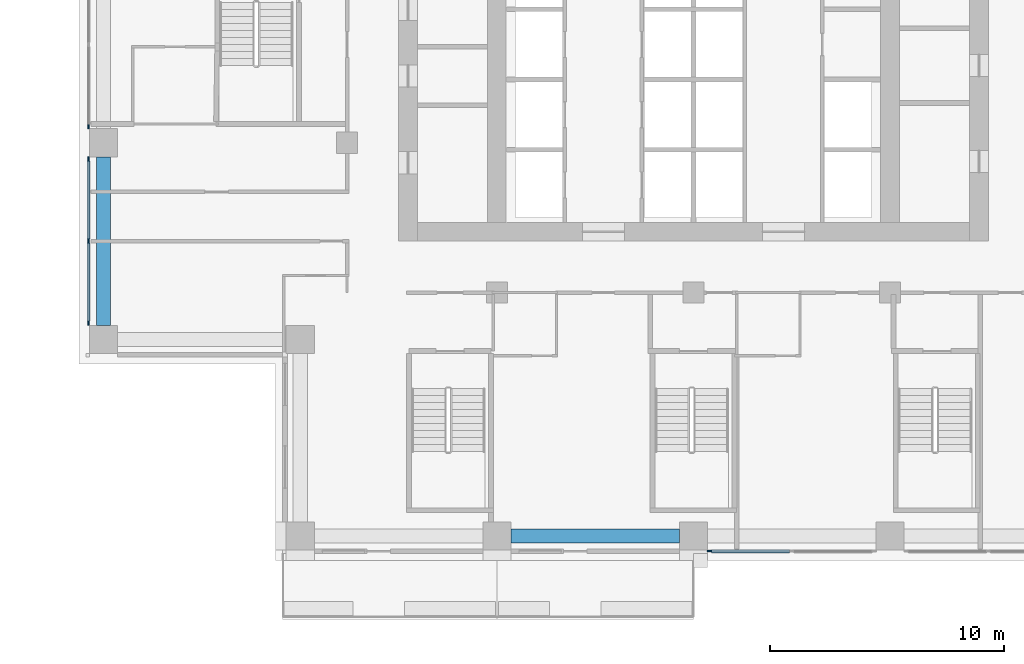
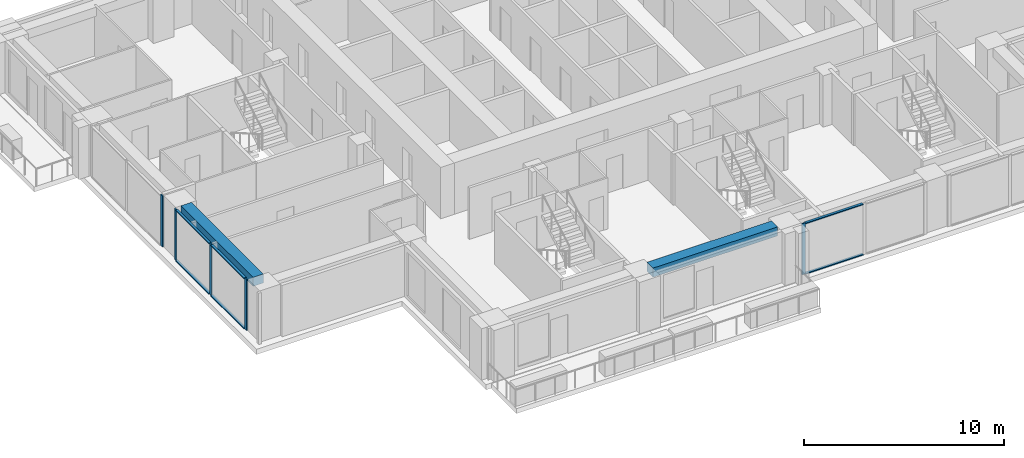
# One storey, part 2 of 16: 11 members, 2 beams, 3 elements without a shape of their own.
"""IFC4 building model written with IfcOpenShell, lengths in metres."""

from ifc_helpers import new_model, si_unit, direction, frame, origin, origin_2d, place, context, subcontext, project, spatial, rectangle, extrude, material, material_profile, profile_set, type_object, element, aggregate, save


model = new_model("IFC4")

# Units and contexts
model_context = context("Model", 3, precision=1e-05, world=origin(), true_north=direction((0.0, 1.0)))
body_context = subcontext(model_context, "Body", "Model", "MODEL_VIEW")
ifc_project = project(units=[si_unit("LENGTHUNIT", "METRE"), si_unit("AREAUNIT", "SQUARE_METRE"), si_unit("VOLUMEUNIT", "CUBIC_METRE"), si_unit("PLANEANGLEUNIT", "RADIAN"), si_unit("MASSUNIT", "GRAM", prefix="KILO")], contexts=[model_context])

# Site, building, storey
site_placement = place(None, origin())
site = spatial("IfcSite", under=ifc_project, at=site_placement, CompositionType="ELEMENT")
building_placement = place(site_placement, origin())
building = spatial("IfcBuilding", under=site, at=building_placement, Name="Vermilion Ogive Tower", CompositionType="ELEMENT")
storey_placement = place(building_placement, frame((0.0, 0.0, 114.89990234375)))
storey = spatial("IfcBuildingStorey", under=building, at=storey_placement, Name="L29", CompositionType="ELEMENT", Elevation=114.89990234375)

# Curtain wall, member
ifc_material_1 = material(Name="Low-iron laminated glazing in aluminium frame", Category="aluminium")
curtain_wall_type = type_object("IfcCurtainWallType", Name="Curtain wall CW7", PredefinedType="NOTDEFINED", material=ifc_material_1)
curtain_wall_1_placement = place(storey_placement, origin())
curtain_wall_1 = element("IfcCurtainWall", 1, at=curtain_wall_1_placement, inside=storey, type_object=curtain_wall_type, Name="Glazed skin S3", PredefinedType="NOTDEFINED")
ifc_material_2 = material(Name="Aluminium mullion", Category="aluminium")
ifc_material_profile_1 = material_profile(ifc_material_2, rectangle(XDim=0.06005859375, YDim=0.179931640625, at=origin_2d()), Name="AL 60x180")
ifc_profile_set_1 = profile_set([ifc_material_profile_1], Name="Aluminium mullion")
member_type_1 = type_object("IfcMemberType", Name="CW7 mullion 60x180", PredefinedType="MULLION", material=ifc_profile_set_1)
member_1_placement = place(storey_placement, frame((0.68994140625, -21.64990234375, 0.0), z_axis=(0.0, 0.0, 1.0), x_axis=(0.0, 1.0, 0.0)))
member_1 = element("IfcMember", 2, at=member_1_placement, type_object=member_type_1, Name="CW7-S3 mullion 1", PredefinedType="MULLION", context=body_context, shape_type="SweptSolid", body=[
    extrude(rectangle(XDim=0.06005859375, YDim=0.179931640625, at=origin_2d()), origin(), (0.0, 0.0, 1.0), 3.130126953125),
])

curtain_wall_2_placement = place(storey_placement, origin())
curtain_wall_2 = element("IfcCurtainWall", 3, at=curtain_wall_2_placement, inside=storey, type_object=curtain_wall_type, Name="Glazed skin W2", PredefinedType="NOTDEFINED")
member_2_placement = place(storey_placement, frame((-25.85009765625, -3.510009765625, 0.0), z_axis=(0.0, 0.0, 1.0), x_axis=(1.0, 0.0, 0.0)))
member_2 = element("IfcMember", 4, at=member_2_placement, type_object=member_type_1, Name="CW7-W2 mullion 3", PredefinedType="MULLION", context=body_context, shape_type="SweptSolid", body=[
    extrude(rectangle(XDim=0.06005859375, YDim=0.179931640625, at=origin_2d()), origin(), (0.0, 0.0, 1.0), 3.130126953125),
])
aggregate(curtain_wall_2, [member_2])

# Curtain wall, members
curtain_wall_3_placement = place(storey_placement, origin())
curtain_wall_3 = element("IfcCurtainWall", 5, at=curtain_wall_3_placement, inside=storey, type_object=curtain_wall_type, Name="Glazed skin W3", PredefinedType="NOTDEFINED")
member_3_placement = place(storey_placement, frame((-25.85009765625, -4.889892578125, 0.0), z_axis=(0.0, 0.0, 1.0), x_axis=(1.0, 0.0, 0.0)))
member_3 = element("IfcMember", 6, at=member_3_placement, type_object=member_type_1, Name="CW7-W3 mullion 1", PredefinedType="MULLION", context=body_context, shape_type="SweptSolid", body=[
    extrude(rectangle(XDim=0.06005859375, YDim=0.179931640625, at=origin_2d()), origin(), (0.0, 0.0, 1.0), 3.130126953125),
])
member_4_placement = place(storey_placement, frame((-25.85009765625, -8.39990234375, 0.0), z_axis=(0.0, 0.0, 1.0), x_axis=(1.0, 0.0, 0.0)))
member_4 = element("IfcMember", 7, at=member_4_placement, type_object=member_type_1, Name="CW7-W3 mullion 2", PredefinedType="MULLION", context=body_context, shape_type="SweptSolid", body=[
    extrude(rectangle(XDim=0.06005859375, YDim=0.179931640625, at=origin_2d()), origin(), (0.0, 0.0, 1.0), 3.130126953125),
])
member_5_placement = place(storey_placement, frame((-25.85009765625, -11.909912109375, 0.0), z_axis=(0.0, 0.0, 1.0), x_axis=(1.0, 0.0, 0.0)))
member_5 = element("IfcMember", 8, at=member_5_placement, type_object=member_type_1, Name="CW7-W3 mullion 3", PredefinedType="MULLION", context=body_context, shape_type="SweptSolid", body=[
    extrude(rectangle(XDim=0.06005859375, YDim=0.179931640625, at=origin_2d()), origin(), (0.0, 0.0, 1.0), 3.130126953125),
])

# Member
ifc_material_3 = material(Name="Aluminium transom", Category="aluminium")
ifc_material_profile_2 = material_profile(ifc_material_3, rectangle(XDim=0.139892578125, YDim=0.06005859375, at=origin_2d()), Name="AL 60x140")
ifc_profile_set_2 = profile_set([ifc_material_profile_2], Name="Aluminium transom")
member_type_2 = type_object("IfcMemberType", Name="CW7 transom 60x140", PredefinedType="USERDEFINED", material=ifc_profile_set_2)
member_6_placement = place(storey_placement, frame((0.780029296875, -21.64990234375, 0.030029296875), z_axis=(1.0, 0.0, 0.0), x_axis=(0.0, 1.0, 0.0)))
member_6 = element("IfcMember", 9, at=member_6_placement, type_object=member_type_2, Name="CW7-S3 transom 1.1", ObjectType="TRANSOM", PredefinedType="USERDEFINED", context=body_context, shape_type="SweptSolid", body=[
    extrude(rectangle(XDim=0.139892578125, YDim=0.06005859375, at=origin_2d()), origin(), (0.0, 0.0, 1.0), 3.330078125),
])

member_7_placement = place(storey_placement, frame((0.780029296875, -21.64990234375, 3.10009765625), z_axis=(1.0, 0.0, 0.0), x_axis=(0.0, 1.0, 0.0)))
member_7 = element("IfcMember", 10, at=member_7_placement, type_object=member_type_2, Name="CW7-S3 transom 1.2", ObjectType="TRANSOM", PredefinedType="USERDEFINED", context=body_context, shape_type="SweptSolid", body=[
    extrude(rectangle(XDim=0.139892578125, YDim=0.06005859375, at=origin_2d()), origin(), (0.0, 0.0, 1.0), 3.330078125),
])

aggregate(curtain_wall_1, [member_1, member_6, member_7])

member_8_placement = place(storey_placement, frame((-25.85009765625, -4.97998046875, 0.030029296875), z_axis=(0.0, -1.0, 0.0), x_axis=(1.0, 0.0, 0.0)))
member_8 = element("IfcMember", 11, at=member_8_placement, type_object=member_type_2, Name="CW7-W3 transom 1.1", ObjectType="TRANSOM", PredefinedType="USERDEFINED", context=body_context, shape_type="SweptSolid", body=[
    extrude(rectangle(XDim=0.139892578125, YDim=0.06005859375, at=origin_2d()), origin(), (0.0, 0.0, 1.0), 3.330078125),
])

member_9_placement = place(storey_placement, frame((-25.85009765625, -4.97998046875, 3.10009765625), z_axis=(0.0, -1.0, 0.0), x_axis=(1.0, 0.0, 0.0)))
member_9 = element("IfcMember", 12, at=member_9_placement, type_object=member_type_2, Name="CW7-W3 transom 1.2", ObjectType="TRANSOM", PredefinedType="USERDEFINED", context=body_context, shape_type="SweptSolid", body=[
    extrude(rectangle(XDim=0.139892578125, YDim=0.06005859375, at=origin_2d()), origin(), (0.0, 0.0, 1.0), 3.330078125),
])

member_10_placement = place(storey_placement, frame((-25.85009765625, -8.489990234375, 0.030029296875), z_axis=(0.0, -1.0, 0.0), x_axis=(1.0, 0.0, 0.0)))
member_10 = element("IfcMember", 13, at=member_10_placement, type_object=member_type_2, Name="CW7-W3 transom 2.1", ObjectType="TRANSOM", PredefinedType="USERDEFINED", context=body_context, shape_type="SweptSolid", body=[
    extrude(rectangle(XDim=0.139892578125, YDim=0.06005859375, at=origin_2d()), origin(), (0.0, 0.0, 1.0), 3.330078125),
])

member_11_placement = place(storey_placement, frame((-25.85009765625, -8.489990234375, 3.10009765625), z_axis=(0.0, -1.0, 0.0), x_axis=(1.0, 0.0, 0.0)))
member_11 = element("IfcMember", 14, at=member_11_placement, type_object=member_type_2, Name="CW7-W3 transom 2.2", ObjectType="TRANSOM", PredefinedType="USERDEFINED", context=body_context, shape_type="SweptSolid", body=[
    extrude(rectangle(XDim=0.139892578125, YDim=0.06005859375, at=origin_2d()), origin(), (0.0, 0.0, 1.0), 3.330078125),
])

aggregate(curtain_wall_3, [member_3, member_4, member_5, member_8, member_9, member_10, member_11])

# Beams
ifc_material_4 = material(Name="Concrete B45", Category="concrete")
ifc_material_profile_3 = material_profile(ifc_material_4, rectangle(XDim=0.60009765625, YDim=0.550048828125, at=origin_2d()), Name="600 x 550")
ifc_profile_set_3 = profile_set([ifc_material_profile_3], Name="Concrete B45")
beam_type = type_object("IfcBeamType", Name="Edge beam 600 x 550 B45", PredefinedType="BEAM", material=ifc_profile_set_3)
for number, where, z_axis, x_axis, name in (
    (15, (-7.800048828125, -21.0, 2.85498046875), (1.0, 0.0, 0.0), (0.0, 1.0, 0.0), "L29-EB-2"),
    (16, (-25.199951171875, -4.800048828125, 2.85498046875), (0.0, -1.0, 0.0), (1.0, 0.0, 0.0), "L29-EB-16"),
):
    element("IfcBeam", number, at=place(storey_placement, frame(where, z_axis=z_axis, x_axis=x_axis)), inside=storey, type_object=beam_type, Name=name, PredefinedType="BEAM", context=body_context, shape_type="SweptSolid", body=[
        extrude(rectangle(XDim=0.60009765625, YDim=0.550048828125, at=origin_2d()), origin(), (0.0, 0.0, 1.0), 7.199951171875),
    ])

save(model, "model.ifc")
